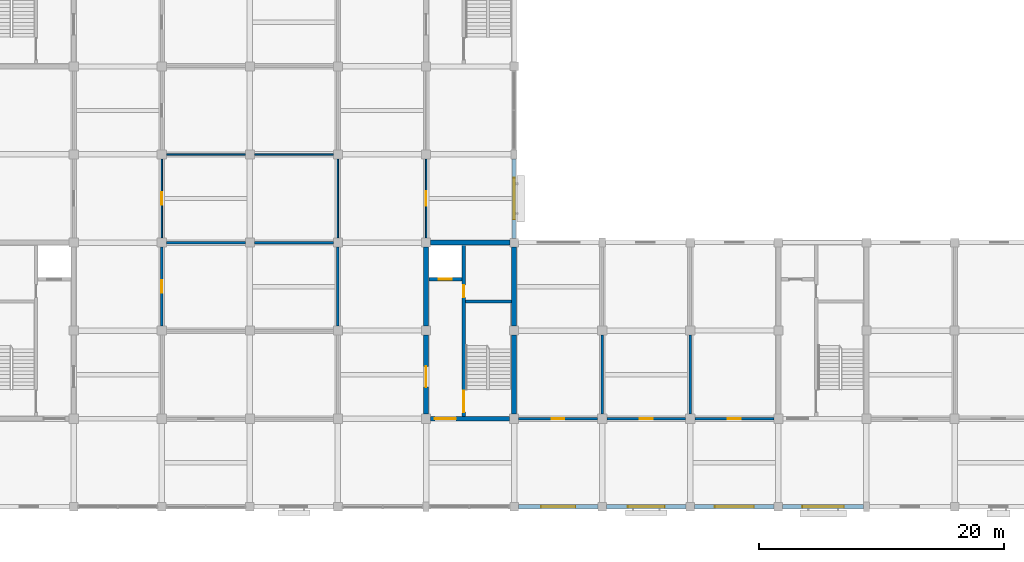
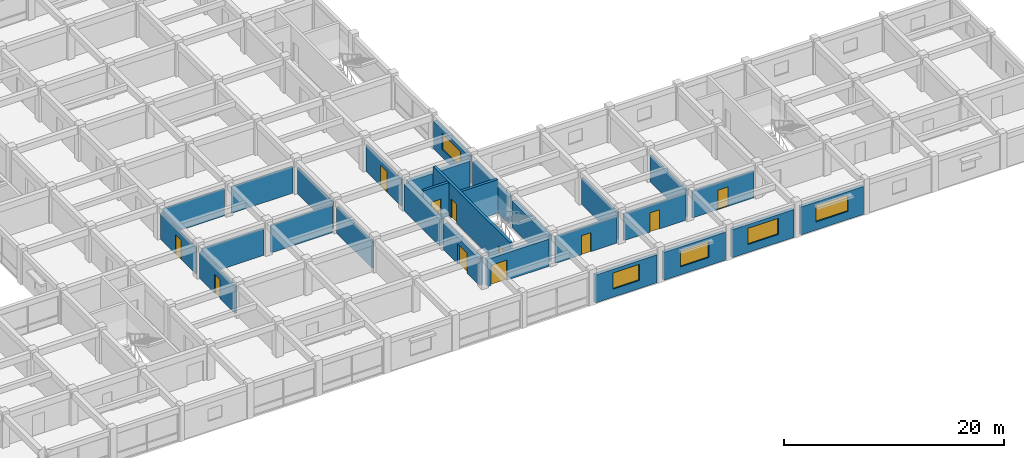
# One storey, part 15 of 25: 28 walls, 11 doors, 5 windows, 16 openings.
"""IFC4 building model written with IfcOpenShell, lengths in metres."""

from ifc_helpers import new_model, si_unit, direction, frame, frame_2d, origin, place, context, subcontext, project, spatial, rectangle, extrude, material, layer, layer_set, type_object, element, fill, save


model = new_model("IFC4")

# Units and contexts
model_context = context("Model", 3, precision=1e-05, world=origin(), true_north=direction((0.0, 1.0)))
body_context = subcontext(model_context, "Body", "Model", "MODEL_VIEW")
ifc_project = project(units=[si_unit("LENGTHUNIT", "METRE"), si_unit("AREAUNIT", "SQUARE_METRE"), si_unit("VOLUMEUNIT", "CUBIC_METRE"), si_unit("PLANEANGLEUNIT", "RADIAN"), si_unit("MASSUNIT", "GRAM", prefix="KILO")], contexts=[model_context])

# Site, building, storey
site_placement = place(None, origin())
site = spatial("IfcSite", under=ifc_project, at=site_placement, CompositionType="ELEMENT")
building_placement = place(site_placement, origin())
building = spatial("IfcBuilding", under=site, at=building_placement, Name="Cendaluz Park School", CompositionType="ELEMENT")
storey_placement = place(building_placement, frame((0.0, 0.0, 18.60009765625)))
storey = spatial("IfcBuildingStorey", under=building, at=storey_placement, Name="L04", CompositionType="ELEMENT", Elevation=18.60009765625)

# Wall, opening, door
ifc_material_1 = material(Name="Gypsum Plasterboard on Cold-Formed Stud", Category="gypsum")
ifc_layer_1 = layer(ifc_material_1, 0.199951171875)
ifc_layer_set_1 = layer_set([ifc_layer_1], Name="Gypsum Plasterboard on Cold-Formed Stud")
wall_type_1 = type_object("IfcWallType", Name="W-AC20", PredefinedType="PARTITIONING", material=ifc_layer_set_1)
wall_1_placement = place(storey_placement, frame((108.375, 14.39990234375, 0.0), z_axis=(0.0, 0.0, 1.0), x_axis=(1.0, 0.0, 0.0)))
wall_1 = element("IfcWall", 1, at=wall_1_placement, inside=storey, type_object=wall_type_1, Name="WL-FE-BN8", PredefinedType="PARTITIONING", context=body_context, shape_type="SweptSolid", body=[
    extrude(rectangle(XDim=6.449951171875, YDim=0.199951171875, at=frame_2d((3.22509765625, 0.0))), origin(), (0.0, 0.0, 1.0), 2.969970703125),
])
opening_1_placement = place(wall_1_placement, frame((2.715087890625, 0.0, 0.0)))
opening_1 = element("IfcOpeningElement", 2, at=opening_1_placement, cuts=wall_1, Name="Opening DCL-02", PredefinedType="OPENING", context=body_context, shape_type="SweptSolid", body=[
    extrude(rectangle(XDim=1.02001953125, YDim=2.1201171875, at=frame_2d((0.510009765625, 1.06005859375))), frame((0.0, 0.112060546875, 0.0), z_axis=(0.0, -1.0, 0.0), x_axis=(1.0, 0.0, 0.0)), (0.0, 0.0, 1.0), 0.223876953125),
])
ifc_material_2 = material(Name="Solid Core Hardwood", Category="wood")
door_type_1 = type_object("IfcDoorType", Name="DCL-02", OperationType="NOTDEFINED", PredefinedType="DOOR", material=ifc_material_2)
door_1_placement = place(opening_1_placement, origin())
door_1 = element("IfcDoor", 3, at=door_1_placement, inside=storey, type_object=door_type_1, Name="D-L04-033", OperationType="SINGLE_SWING_LEFT", OverallHeight=2.1201171875, OverallWidth=1.02001953125, PredefinedType="DOOR", context=body_context, shape_type="SweptSolid", body=[
    extrude(rectangle(XDim=1.02001953125, YDim=2.1201171875, at=frame_2d((0.510009765625, 1.06005859375))), frame((0.0, 0.02490234375, 0.0), z_axis=(0.0, -1.0, 0.0), x_axis=(1.0, 0.0, 0.0)), (0.0, 0.0, 1.0), 0.050048828125),
])
fill(opening_1, door_1)

# Wall
wall_2_placement = place(storey_placement, frame((115.199951171875, 14.77490234375, 0.0), z_axis=(0.0, 0.0, 1.0), x_axis=(0.0, 1.0, 0.0)))
element("IfcWall", 4, at=wall_2_placement, inside=storey, type_object=wall_type_1, Name="WL-FE-BN9", PredefinedType="PARTITIONING", context=body_context, shape_type="SweptSolid", body=[
    extrude(rectangle(XDim=6.4501953125, YDim=0.199951171875, at=frame_2d((3.22509765625, 0.0))), origin(), (0.0, 0.0, 1.0), 2.969970703125),
])

# Wall, opening, door
wall_3_placement = place(storey_placement, frame((115.574951171875, 14.39990234375, 0.0), z_axis=(0.0, 0.0, 1.0), x_axis=(1.0, 0.0, 0.0)))
wall_3 = element("IfcWall", 5, at=wall_3_placement, inside=storey, type_object=wall_type_1, Name="WL-FE-BO1", PredefinedType="PARTITIONING", context=body_context, shape_type="SweptSolid", body=[
    extrude(rectangle(XDim=6.449951171875, YDim=0.199951171875, at=frame_2d((3.22509765625, 0.0))), origin(), (0.0, 0.0, 1.0), 2.969970703125),
])
opening_2_placement = place(wall_3_placement, frame((2.705078125, 0.0, 0.0)))
opening_2 = element("IfcOpeningElement", 6, at=opening_2_placement, cuts=wall_3, Name="Opening DCL-03", PredefinedType="OPENING", context=body_context, shape_type="SweptSolid", body=[
    extrude(rectangle(XDim=1.0400390625, YDim=2.139892578125, at=frame_2d((0.52001953125, 1.06982421875))), frame((0.0, 0.112060546875, 0.0), z_axis=(0.0, -1.0, 0.0), x_axis=(1.0, 0.0, 0.0)), (0.0, 0.0, 1.0), 0.223876953125),
])
door_type_2 = type_object("IfcDoorType", Name="DCL-03", OperationType="NOTDEFINED", PredefinedType="DOOR", material=ifc_material_2)
door_2_placement = place(opening_2_placement, origin())
door_2 = element("IfcDoor", 7, at=door_2_placement, inside=storey, type_object=door_type_2, Name="D-L04-034", OperationType="SINGLE_SWING_RIGHT", OverallHeight=2.139892578125, OverallWidth=1.0400390625, PredefinedType="DOOR", context=body_context, shape_type="SweptSolid", body=[
    extrude(rectangle(XDim=1.0400390625, YDim=2.139892578125, at=frame_2d((0.52001953125, 1.06982421875))), frame((0.0, 0.02490234375, 0.0), z_axis=(0.0, -1.0, 0.0), x_axis=(1.0, 0.0, 0.0)), (0.0, 0.0, 1.0), 0.050048828125),
])
fill(opening_2, door_2)

# Wall
wall_4_placement = place(storey_placement, frame((122.39990234375, 14.77490234375, 0.0), z_axis=(0.0, 0.0, 1.0), x_axis=(0.0, 1.0, 0.0)))
element("IfcWall", 8, at=wall_4_placement, inside=storey, type_object=wall_type_1, Name="WL-FE-BO2", PredefinedType="PARTITIONING", context=body_context, shape_type="SweptSolid", body=[
    extrude(rectangle(XDim=6.4501953125, YDim=0.199951171875, at=frame_2d((3.22509765625, 0.0))), origin(), (0.0, 0.0, 1.0), 2.969970703125),
])

# Wall, opening, door
wall_5_placement = place(storey_placement, frame((122.77490234375, 14.39990234375, 0.0), z_axis=(0.0, 0.0, 1.0), x_axis=(1.0, 0.0, 0.0)))
wall_5 = element("IfcWall", 9, at=wall_5_placement, inside=storey, type_object=wall_type_1, Name="WL-FE-BO4", PredefinedType="PARTITIONING", context=body_context, shape_type="SweptSolid", body=[
    extrude(rectangle(XDim=6.4501953125, YDim=0.199951171875, at=frame_2d((3.22509765625, 0.0))), origin(), (0.0, 0.0, 1.0), 2.969970703125),
])
opening_3_placement = place(wall_5_placement, frame((2.695068359375, 0.0, 0.0)))
opening_3 = element("IfcOpeningElement", 10, at=opening_3_placement, cuts=wall_5, Name="Opening DCL-04", PredefinedType="OPENING", context=body_context, shape_type="SweptSolid", body=[
    extrude(rectangle(XDim=1.06005859375, YDim=2.159912109375, at=frame_2d((0.530029296875, 1.080078125))), frame((0.0, 0.112060546875, 0.0), z_axis=(0.0, -1.0, 0.0), x_axis=(1.0, 0.0, 0.0)), (0.0, 0.0, 1.0), 0.223876953125),
])
door_type_3 = type_object("IfcDoorType", Name="DCL-04", OperationType="NOTDEFINED", PredefinedType="DOOR", material=ifc_material_2)
door_3_placement = place(opening_3_placement, origin())
door_3 = element("IfcDoor", 11, at=door_3_placement, inside=storey, type_object=door_type_3, Name="D-L04-035", OperationType="SINGLE_SWING_LEFT", OverallHeight=2.159912109375, OverallWidth=1.06005859375, PredefinedType="DOOR", context=body_context, shape_type="SweptSolid", body=[
    extrude(rectangle(XDim=1.06005859375, YDim=2.159912109375, at=frame_2d((0.530029296875, 1.080078125))), frame((0.0, 0.02490234375, 0.0), z_axis=(0.0, -1.0, 0.0), x_axis=(1.0, 0.0, 0.0)), (0.0, 0.0, 1.0), 0.050048828125),
])
fill(opening_3, door_3)

# Wall
wall_6_placement = place(storey_placement, frame((79.574951171875, 28.800048828125, 0.0), z_axis=(0.0, 0.0, 1.0), x_axis=(1.0, 0.0, 0.0)))
element("IfcWall", 12, at=wall_6_placement, inside=storey, type_object=wall_type_1, Name="WL-FE-BQ2", PredefinedType="PARTITIONING", context=body_context, shape_type="SweptSolid", body=[
    extrude(rectangle(XDim=6.449951171875, YDim=0.199951171875, at=frame_2d((3.22509765625, 0.0))), origin(), (0.0, 0.0, 1.0), 2.969970703125),
])

# Wall, opening, door
wall_7_placement = place(storey_placement, frame((79.199951171875, 21.97509765625, 0.0), z_axis=(0.0, 0.0, 1.0), x_axis=(0.0, 1.0, 0.0)))
wall_7 = element("IfcWall", 13, at=wall_7_placement, inside=storey, type_object=wall_type_1, Name="WL-FE-BQ3", PredefinedType="PARTITIONING", context=body_context, shape_type="SweptSolid", body=[
    extrude(rectangle(XDim=6.449951171875, YDim=0.199951171875, at=frame_2d((3.22509765625, 0.0))), origin(), (0.0, 0.0, 1.0), 2.969970703125),
])
opening_4_placement = place(wall_7_placement, frame((2.72509765625, 0.0, 0.0)))
opening_4 = element("IfcOpeningElement", 14, at=opening_4_placement, cuts=wall_7, Name="Opening DCL-01", PredefinedType="OPENING", context=body_context, shape_type="SweptSolid", body=[
    extrude(rectangle(XDim=1.0, YDim=2.10009765625, at=frame_2d((0.5, 1.050048828125))), frame((0.0, 0.112060546875, 0.0), z_axis=(0.0, -1.0, 0.0), x_axis=(1.0, 0.0, 0.0)), (0.0, 0.0, 1.0), 0.223876953125),
])
door_type_4 = type_object("IfcDoorType", Name="DCL-01", OperationType="NOTDEFINED", PredefinedType="DOOR", material=ifc_material_2)
door_4_placement = place(opening_4_placement, frame((1.0, 0.0, 0.0), z_axis=(0.0, 0.0, 1.0), x_axis=(-1.0, 0.0, 0.0)))
door_4 = element("IfcDoor", 15, at=door_4_placement, inside=storey, type_object=door_type_4, Name="D-L04-042", OperationType="SINGLE_SWING_RIGHT", OverallHeight=2.10009765625, OverallWidth=1.0, PredefinedType="DOOR", context=body_context, shape_type="SweptSolid", body=[
    extrude(rectangle(XDim=1.0, YDim=2.10009765625, at=frame_2d((0.5, 1.050048828125))), frame((0.0, 0.02490234375, 0.0), z_axis=(0.0, -1.0, 0.0), x_axis=(1.0, 0.0, 0.0)), (0.0, 0.0, 1.0), 0.050048828125),
])
fill(opening_4, door_4)

# Walls
wall_8_placement = place(storey_placement, frame((86.77490234375, 28.800048828125, 0.0), z_axis=(0.0, 0.0, 1.0), x_axis=(1.0, 0.0, 0.0)))
element("IfcWall", 16, at=wall_8_placement, inside=storey, type_object=wall_type_1, Name="WL-FE-BQ4", PredefinedType="PARTITIONING", context=body_context, shape_type="SweptSolid", body=[
    extrude(rectangle(XDim=6.4501953125, YDim=0.199951171875, at=frame_2d((3.22509765625, 0.0))), origin(), (0.0, 0.0, 1.0), 3.039794921875),
])
wall_9_placement = place(storey_placement, frame((93.60009765625, 21.97509765625, 0.0), z_axis=(0.0, 0.0, 1.0), x_axis=(0.0, 1.0, 0.0)))
element("IfcWall", 17, at=wall_9_placement, inside=storey, type_object=wall_type_1, Name="WL-FE-BQ5", PredefinedType="PARTITIONING", context=body_context, shape_type="SweptSolid", body=[
    extrude(rectangle(XDim=6.449951171875, YDim=0.199951171875, at=frame_2d((3.22509765625, 0.0))), origin(), (0.0, 0.0, 1.0), 2.969970703125),
])

# Wall, opening, window
ifc_material_3 = material(Name="Concrete C40/50 precast", Category="concrete")
ifc_layer_2 = layer(ifc_material_3, 0.340087890625)
ifc_layer_set_2 = layer_set([ifc_layer_2], Name="Concrete C40/50 precast")
wall_type_2 = type_object("IfcWallType", Name="W-EX34", PredefinedType="SOLIDWALL", material=ifc_layer_set_2)
wall_10_placement = place(storey_placement, frame((108.0, 29.14990234375, 0.0), z_axis=(0.0, 0.0, 1.0), x_axis=(0.0, 1.0, 0.0)))
wall_10 = element("IfcWall", 18, at=wall_10_placement, inside=storey, type_object=wall_type_2, Name="WL-FE-AB0", PredefinedType="SOLIDWALL", context=body_context, shape_type="SweptSolid", body=[
    extrude(rectangle(XDim=6.47509765625, YDim=0.340087890625, at=frame_2d((3.237548828125, 0.0))), origin(), (0.0, 0.0, 1.0), 3.10986328125),
])
opening_5_placement = place(wall_10_placement, frame((1.53759765625, 0.0, 0.89990234375)))
opening_5 = element("IfcOpeningElement", 19, at=opening_5_placement, cuts=wall_10, Name="Opening WN-09", PredefinedType="OPENING", context=body_context, shape_type="SweptSolid", body=[
    extrude(rectangle(XDim=3.39990234375, YDim=1.800048828125, at=frame_2d((1.699951171875, 0.89990234375))), frame((0.0, 0.18212890625, 0.0), z_axis=(0.0, -1.0, 0.0), x_axis=(1.0, 0.0, 0.0)), (0.0, 0.0, 1.0), 0.364013671875),
])
ifc_material_4 = material(Name="Tempered Low-E Double Glazing", Category="glass")
window_type_1 = type_object("IfcWindowType", Name="WN-09", PartitioningType="SINGLE_PANEL", PredefinedType="WINDOW", material=ifc_material_4)
window_1_placement = place(opening_5_placement, origin())
window_1 = element("IfcWindow", 20, at=window_1_placement, inside=storey, type_object=window_type_1, Name="WN-L04-011", OverallHeight=1.800048828125, OverallWidth=3.39990234375, PartitioningType="SINGLE_PANEL", PredefinedType="WINDOW", context=body_context, shape_type="SweptSolid", body=[
    extrude(rectangle(XDim=3.39990234375, YDim=1.800048828125, at=frame_2d((1.699951171875, 0.89990234375))), frame((0.0, 0.030029296875, 0.0), z_axis=(0.0, -1.0, 0.0), x_axis=(1.0, 0.0, 0.0)), (0.0, 0.0, 1.0), 0.06005859375),
])
fill(opening_5, window_1)

wall_11_placement = place(storey_placement, frame((108.35009765625, 7.199951171875, 0.0), z_axis=(0.0, 0.0, 1.0), x_axis=(1.0, 0.0, 0.0)))
wall_11 = element("IfcWall", 21, at=wall_11_placement, inside=storey, type_object=wall_type_2, Name="WL-FE-AB4", PredefinedType="SOLIDWALL", context=body_context, shape_type="SweptSolid", body=[
    extrude(rectangle(XDim=6.5, YDim=0.340087890625, at=frame_2d((3.25, 0.0))), origin(), (0.0, 0.0, 1.0), 3.10986328125),
])
opening_6_placement = place(wall_11_placement, frame((1.85009765625, 0.0, 0.89990234375)))
opening_6 = element("IfcOpeningElement", 22, at=opening_6_placement, cuts=wall_11, Name="Opening WN-06", PredefinedType="OPENING", context=body_context, shape_type="SweptSolid", body=[
    extrude(rectangle(XDim=2.800048828125, YDim=1.800048828125, at=frame_2d((1.39990234375, 0.89990234375))), frame((0.0, 0.18212890625, 0.0), z_axis=(0.0, -1.0, 0.0), x_axis=(1.0, 0.0, 0.0)), (0.0, 0.0, 1.0), 0.364013671875),
])
window_type_2 = type_object("IfcWindowType", Name="WN-06", PartitioningType="SINGLE_PANEL", PredefinedType="WINDOW", material=ifc_material_4)
window_2_placement = place(opening_6_placement, origin())
window_2 = element("IfcWindow", 23, at=window_2_placement, inside=storey, type_object=window_type_2, Name="WN-L04-015", OverallHeight=1.800048828125, OverallWidth=2.800048828125, PartitioningType="SINGLE_PANEL", PredefinedType="WINDOW", context=body_context, shape_type="SweptSolid", body=[
    extrude(rectangle(XDim=2.800048828125, YDim=1.800048828125, at=frame_2d((1.39990234375, 0.89990234375))), frame((0.0, 0.030029296875, 0.0), z_axis=(0.0, -1.0, 0.0), x_axis=(1.0, 0.0, 0.0)), (0.0, 0.0, 1.0), 0.06005859375),
])
fill(opening_6, window_2)

wall_12_placement = place(storey_placement, frame((115.550048828125, 7.199951171875, 0.0), z_axis=(0.0, 0.0, 1.0), x_axis=(1.0, 0.0, 0.0)))
wall_12 = element("IfcWall", 24, at=wall_12_placement, inside=storey, type_object=wall_type_2, Name="WL-FE-AB6", PredefinedType="SOLIDWALL", context=body_context, shape_type="SweptSolid", body=[
    extrude(rectangle(XDim=6.5, YDim=0.340087890625, at=frame_2d((3.25, 0.0))), origin(), (0.0, 0.0, 1.0), 3.10986328125),
])
opening_7_placement = place(wall_12_placement, frame((1.75, 0.0, 0.89990234375)))
opening_7 = element("IfcOpeningElement", 25, at=opening_7_placement, cuts=wall_12, Name="Opening WN-07", PredefinedType="OPENING", context=body_context, shape_type="SweptSolid", body=[
    extrude(rectangle(XDim=3.0, YDim=1.800048828125, at=frame_2d((1.5, 0.89990234375))), frame((0.0, 0.18212890625, 0.0), z_axis=(0.0, -1.0, 0.0), x_axis=(1.0, 0.0, 0.0)), (0.0, 0.0, 1.0), 0.364013671875),
])
window_type_3 = type_object("IfcWindowType", Name="WN-07", PartitioningType="SINGLE_PANEL", PredefinedType="WINDOW", material=ifc_material_4)
window_3_placement = place(opening_7_placement, origin())
window_3 = element("IfcWindow", 26, at=window_3_placement, inside=storey, type_object=window_type_3, Name="WN-L04-017", OverallHeight=1.800048828125, OverallWidth=3.0, PartitioningType="SINGLE_PANEL", PredefinedType="WINDOW", context=body_context, shape_type="SweptSolid", body=[
    extrude(rectangle(XDim=3.0, YDim=1.800048828125, at=frame_2d((1.5, 0.89990234375))), frame((0.0, 0.030029296875, 0.0), z_axis=(0.0, -1.0, 0.0), x_axis=(1.0, 0.0, 0.0)), (0.0, 0.0, 1.0), 0.06005859375),
])
fill(opening_7, window_3)

wall_13_placement = place(storey_placement, frame((122.75, 7.199951171875, 0.0), z_axis=(0.0, 0.0, 1.0), x_axis=(1.0, 0.0, 0.0)))
wall_13 = element("IfcWall", 27, at=wall_13_placement, inside=storey, type_object=wall_type_2, Name="WL-FE-AB8", PredefinedType="SOLIDWALL", context=body_context, shape_type="SweptSolid", body=[
    extrude(rectangle(XDim=6.5, YDim=0.340087890625, at=frame_2d((3.25, 0.0))), origin(), (0.0, 0.0, 1.0), 3.10986328125),
])
opening_8_placement = place(wall_13_placement, frame((1.64990234375, 0.0, 0.89990234375)))
opening_8 = element("IfcOpeningElement", 28, at=opening_8_placement, cuts=wall_13, Name="Opening WN-08", PredefinedType="OPENING", context=body_context, shape_type="SweptSolid", body=[
    extrude(rectangle(XDim=3.199951171875, YDim=1.800048828125, at=frame_2d((1.60009765625, 0.89990234375))), frame((0.0, 0.18212890625, 0.0), z_axis=(0.0, -1.0, 0.0), x_axis=(1.0, 0.0, 0.0)), (0.0, 0.0, 1.0), 0.364013671875),
])
window_type_4 = type_object("IfcWindowType", Name="WN-08", PartitioningType="SINGLE_PANEL", PredefinedType="WINDOW", material=ifc_material_4)
window_4_placement = place(opening_8_placement, origin())
window_4 = element("IfcWindow", 29, at=window_4_placement, inside=storey, type_object=window_type_4, Name="WN-L04-019", OverallHeight=1.800048828125, OverallWidth=3.199951171875, PartitioningType="SINGLE_PANEL", PredefinedType="WINDOW", context=body_context, shape_type="SweptSolid", body=[
    extrude(rectangle(XDim=3.199951171875, YDim=1.800048828125, at=frame_2d((1.60009765625, 0.89990234375))), frame((0.0, 0.030029296875, 0.0), z_axis=(0.0, -1.0, 0.0), x_axis=(1.0, 0.0, 0.0)), (0.0, 0.0, 1.0), 0.06005859375),
])
fill(opening_8, window_4)

wall_14_placement = place(storey_placement, frame((129.949951171875, 7.199951171875, 0.0), z_axis=(0.0, 0.0, 1.0), x_axis=(1.0, 0.0, 0.0)))
wall_14 = element("IfcWall", 30, at=wall_14_placement, inside=storey, type_object=wall_type_2, Name="WL-FE-AC0", PredefinedType="SOLIDWALL", context=body_context, shape_type="SweptSolid", body=[
    extrude(rectangle(XDim=6.60009765625, YDim=0.340087890625, at=frame_2d((3.300048828125, 0.0))), origin(), (0.0, 0.0, 1.0), 3.10986328125),
])
opening_9_placement = place(wall_14_placement, frame((1.60009765625, 0.0, 0.89990234375)))
opening_9 = element("IfcOpeningElement", 31, at=opening_9_placement, cuts=wall_14, Name="Opening WN-09", PredefinedType="OPENING", context=body_context, shape_type="SweptSolid", body=[
    extrude(rectangle(XDim=3.39990234375, YDim=1.800048828125, at=frame_2d((1.699951171875, 0.89990234375))), frame((0.0, 0.18212890625, 0.0), z_axis=(0.0, -1.0, 0.0), x_axis=(1.0, 0.0, 0.0)), (0.0, 0.0, 1.0), 0.364013671875),
])
window_5_placement = place(opening_9_placement, origin())
window_5 = element("IfcWindow", 32, at=window_5_placement, inside=storey, type_object=window_type_1, Name="WN-L04-021", OverallHeight=1.800048828125, OverallWidth=3.39990234375, PartitioningType="SINGLE_PANEL", PredefinedType="WINDOW", context=body_context, shape_type="SweptSolid", body=[
    extrude(rectangle(XDim=3.39990234375, YDim=1.800048828125, at=frame_2d((1.699951171875, 0.89990234375))), frame((0.0, 0.030029296875, 0.0), z_axis=(0.0, -1.0, 0.0), x_axis=(1.0, 0.0, 0.0)), (0.0, 0.0, 1.0), 0.06005859375),
])
fill(opening_9, window_5)

# Wall, openings, doors
ifc_material_5 = material(Name="Concrete C40/50", Category="concrete")
ifc_layer_3 = layer(ifc_material_5, 0.280029296875)
ifc_layer_set_3 = layer_set([ifc_layer_3], Name="Concrete C40/50")
wall_type_3 = type_object("IfcWallType", Name="W-FW28", PredefinedType="SHEAR", material=ifc_layer_set_3)
wall_15_placement = place(storey_placement, frame((103.8798828125, 14.60009765625, 0.0), z_axis=(0.0, 0.0, 1.0), x_axis=(0.0, 1.0, 0.0)))
wall_15 = element("IfcWall", 33, at=wall_15_placement, inside=storey, type_object=wall_type_3, Name="WL-FE-BI5", PredefinedType="SHEAR", context=body_context, shape_type="SweptSolid", body=[
    extrude(rectangle(XDim=14.0, YDim=0.280029296875, at=frame_2d((7.0, 0.0))), origin(), (0.0, 0.0, 1.0), 3.739990234375),
])
opening_10_placement = place(wall_15_placement, frame((0.35009765625, 0.0, 0.0)))
opening_10 = element("IfcOpeningElement", 34, at=opening_10_placement, cuts=wall_15, Name="Opening DST-03", PredefinedType="OPENING", context=body_context, shape_type="SweptSolid", body=[
    extrude(rectangle(XDim=1.75, YDim=2.14990234375, at=frame_2d((0.875, 1.074951171875))), frame((0.0, 0.152099609375, 0.0), z_axis=(0.0, -1.0, 0.0), x_axis=(1.0, 0.0, 0.0)), (0.0, 0.0, 1.0), 0.303955078125),
])
opening_11_placement = place(wall_15_placement, frame((9.719970703125, 0.0, 0.0)))
opening_11 = element("IfcOpeningElement", 35, at=opening_11_placement, cuts=wall_15, Name="Opening DFC-01", PredefinedType="OPENING", context=body_context, shape_type="SweptSolid", body=[
    extrude(rectangle(XDim=1.0, YDim=2.14990234375, at=frame_2d((0.5, 1.074951171875))), frame((0.0, 0.152099609375, 0.0), z_axis=(0.0, -1.0, 0.0), x_axis=(1.0, 0.0, 0.0)), (0.0, 0.0, 1.0), 0.303955078125),
])
door_type_5 = type_object("IfcDoorType", Name="DFC-01", OperationType="NOTDEFINED", PredefinedType="DOOR", material=ifc_material_2)
door_5_placement = place(opening_11_placement, frame((1.0, 0.0, 0.0), z_axis=(0.0, 0.0, 1.0), x_axis=(-1.0, 0.0, 0.0)))
door_5 = element("IfcDoor", 36, at=door_5_placement, inside=storey, type_object=door_type_5, Name="D-L04-009", OperationType="SINGLE_SWING_RIGHT", OverallHeight=2.14990234375, OverallWidth=1.0, PredefinedType="DOOR", context=body_context, shape_type="SweptSolid", body=[
    extrude(rectangle(XDim=1.0, YDim=2.14990234375, at=frame_2d((0.5, 1.074951171875))), frame((0.0, 0.02490234375, 0.0), z_axis=(0.0, -1.0, 0.0), x_axis=(1.0, 0.0, 0.0)), (0.0, 0.0, 1.0), 0.050048828125),
])
fill(opening_11, door_5)
door_type_6 = type_object("IfcDoorType", Name="DST-03", OperationType="DOUBLE_DOOR_SINGLE_SWING", PredefinedType="DOOR", material=ifc_material_2)
door_6_placement = place(opening_10_placement, frame((1.75, 0.0, 0.0), z_axis=(0.0, 0.0, 1.0), x_axis=(-1.0, 0.0, 0.0)))
door_6 = element("IfcDoor", 37, at=door_6_placement, inside=storey, type_object=door_type_6, Name="D-L04-008", OperationType="DOUBLE_DOOR_SINGLE_SWING", OverallHeight=2.14990234375, OverallWidth=1.75, PredefinedType="DOOR", context=body_context, shape_type="SweptSolid", body=[
    extrude(rectangle(XDim=1.75, YDim=2.14990234375, at=frame_2d((0.875, 1.074951171875))), frame((0.0, 0.02490234375, 0.0), z_axis=(0.0, -1.0, 0.0), x_axis=(1.0, 0.0, 0.0)), (0.0, 0.0, 1.0), 0.050048828125),
])
fill(opening_10, door_6)

# Wall
wall_16_placement = place(storey_placement, frame((104.02001953125, 23.97998046875, 0.0), z_axis=(0.0, 0.0, 1.0), x_axis=(1.0, 0.0, 0.0)))
element("IfcWall", 38, at=wall_16_placement, inside=storey, type_object=wall_type_3, Name="WL-FE-BI6", PredefinedType="SHEAR", context=body_context, shape_type="SweptSolid", body=[
    extrude(rectangle(XDim=3.780029296875, YDim=0.280029296875, at=frame_2d((1.89013671875, 0.0))), origin(), (0.0, 0.0, 1.0), 3.739990234375),
])

# Wall, opening, door
wall_17_placement = place(storey_placement, frame((101.0400390625, 25.800048828125, 0.0), z_axis=(0.0, 0.0, 1.0), x_axis=(1.0, 0.0, 0.0)))
wall_17 = element("IfcWall", 39, at=wall_17_placement, inside=storey, type_object=wall_type_3, Name="WL-FE-BI7", PredefinedType="SHEAR", context=body_context, shape_type="SweptSolid", body=[
    extrude(rectangle(XDim=2.679931640625, YDim=0.280029296875, at=frame_2d((1.33984375, 0.0))), origin(), (0.0, 0.0, 1.0), 3.739990234375),
])
opening_12_placement = place(wall_17_placement, frame((0.81494140625, 0.0, 0.0)))
opening_12 = element("IfcOpeningElement", 40, at=opening_12_placement, cuts=wall_17, Name="Opening LD-02", PredefinedType="OPENING", context=body_context, shape_type="SweptSolid", body=[
    extrude(rectangle(XDim=1.050048828125, YDim=2.199951171875, at=frame_2d((0.52490234375, 1.10009765625))), frame((0.0, 0.152099609375, 0.0), z_axis=(0.0, -1.0, 0.0), x_axis=(1.0, 0.0, 0.0)), (0.0, 0.0, 1.0), 0.303955078125),
])
ifc_material_6 = material(Name="Stainless Steel 316L", Category="steel")
door_type_7 = type_object("IfcDoorType", Name="LD-02", OperationType="DOUBLE_DOOR_SLIDING", PredefinedType="DOOR", material=ifc_material_6)
door_7_placement = place(opening_12_placement, frame((1.050048828125, 0.0, 0.0), z_axis=(0.0, 0.0, 1.0), x_axis=(-1.0, 0.0, 0.0)))
door_7 = element("IfcDoor", 41, at=door_7_placement, inside=storey, type_object=door_type_7, Name="D-L04-010", OperationType="DOUBLE_DOOR_SLIDING", OverallHeight=2.199951171875, OverallWidth=1.050048828125, PredefinedType="DOOR", context=body_context, shape_type="SweptSolid", body=[
    extrude(rectangle(XDim=1.050048828125, YDim=2.199951171875, at=frame_2d((0.52490234375, 1.10009765625))), frame((0.0, 0.02490234375, 0.0), z_axis=(0.0, -1.0, 0.0), x_axis=(1.0, 0.0, 0.0)), (0.0, 0.0, 1.0), 0.050048828125),
])
fill(opening_12, door_7)

# Wall
ifc_layer_4 = layer(ifc_material_1, 0.1201171875)
ifc_layer_set_4 = layer_set([ifc_layer_4], Name="Gypsum Plasterboard on Cold-Formed Stud")
wall_type_4 = type_object("IfcWallType", Name="W-MV12", PredefinedType="MOVABLE", material=ifc_layer_set_4)
wall_18_placement = place(storey_placement, frame((79.574951171875, 36.0, 0.0), z_axis=(0.0, 0.0, 1.0), x_axis=(1.0, 0.0, 0.0)))
element("IfcWall", 42, at=wall_18_placement, inside=storey, type_object=wall_type_4, Name="WL-FE-BQ6", PredefinedType="MOVABLE", context=body_context, shape_type="SweptSolid", body=[
    extrude(rectangle(XDim=6.449951171875, YDim=0.1201171875, at=frame_2d((3.22509765625, 0.0))), origin(), (0.0, 0.0, 1.0), 3.039794921875),
])

# Wall, opening, door
wall_19_placement = place(storey_placement, frame((79.199951171875, 29.175048828125, 0.0), z_axis=(0.0, 0.0, 1.0), x_axis=(0.0, 1.0, 0.0)))
wall_19 = element("IfcWall", 43, at=wall_19_placement, inside=storey, type_object=wall_type_4, Name="WL-FE-BQ7", PredefinedType="MOVABLE", context=body_context, shape_type="SweptSolid", body=[
    extrude(rectangle(XDim=6.449951171875, YDim=0.1201171875, at=frame_2d((3.22509765625, 0.0))), origin(), (0.0, 0.0, 1.0), 2.969970703125),
])
opening_13_placement = place(wall_19_placement, frame((2.715087890625, 0.0, 0.0)))
opening_13 = element("IfcOpeningElement", 44, at=opening_13_placement, cuts=wall_19, Name="Opening DCL-02", PredefinedType="OPENING", context=body_context, shape_type="SweptSolid", body=[
    extrude(rectangle(XDim=1.02001953125, YDim=2.1201171875, at=frame_2d((0.510009765625, 1.06005859375))), frame((0.0, 0.072021484375, 0.0), z_axis=(0.0, -1.0, 0.0), x_axis=(1.0, 0.0, 0.0)), (0.0, 0.0, 1.0), 0.14404296875),
])
door_8_placement = place(opening_13_placement, frame((1.02001953125, 0.0, 0.0), z_axis=(0.0, 0.0, 1.0), x_axis=(-1.0, 0.0, 0.0)))
door_8 = element("IfcDoor", 45, at=door_8_placement, inside=storey, type_object=door_type_1, Name="D-L04-043", OperationType="SINGLE_SWING_LEFT", OverallHeight=2.1201171875, OverallWidth=1.02001953125, PredefinedType="DOOR", context=body_context, shape_type="SweptSolid", body=[
    extrude(rectangle(XDim=1.02001953125, YDim=2.1201171875, at=frame_2d((0.510009765625, 1.06005859375))), frame((0.0, 0.02490234375, 0.0), z_axis=(0.0, -1.0, 0.0), x_axis=(1.0, 0.0, 0.0)), (0.0, 0.0, 1.0), 0.050048828125),
])
fill(opening_13, door_8)

# Walls
wall_20_placement = place(storey_placement, frame((86.77490234375, 36.0, 0.0), z_axis=(0.0, 0.0, 1.0), x_axis=(1.0, 0.0, 0.0)))
element("IfcWall", 46, at=wall_20_placement, inside=storey, type_object=wall_type_4, Name="WL-FE-BQ8", PredefinedType="MOVABLE", context=body_context, shape_type="SweptSolid", body=[
    extrude(rectangle(XDim=6.4501953125, YDim=0.1201171875, at=frame_2d((3.22509765625, 0.0))), origin(), (0.0, 0.0, 1.0), 2.969970703125),
])
wall_21_placement = place(storey_placement, frame((93.60009765625, 29.175048828125, 0.0), z_axis=(0.0, 0.0, 1.0), x_axis=(0.0, 1.0, 0.0)))
element("IfcWall", 47, at=wall_21_placement, inside=storey, type_object=wall_type_4, Name="WL-FE-BQ9", PredefinedType="MOVABLE", context=body_context, shape_type="SweptSolid", body=[
    extrude(rectangle(XDim=6.449951171875, YDim=0.1201171875, at=frame_2d((3.22509765625, 0.0))), origin(), (0.0, 0.0, 1.0), 2.969970703125),
])

# Wall, opening, door
wall_22_placement = place(storey_placement, frame((100.800048828125, 29.175048828125, 0.0), z_axis=(0.0, 0.0, 1.0), x_axis=(0.0, 1.0, 0.0)))
wall_22 = element("IfcWall", 48, at=wall_22_placement, inside=storey, type_object=wall_type_4, Name="WL-FE-BS8", PredefinedType="MOVABLE", context=body_context, shape_type="SweptSolid", body=[
    extrude(rectangle(XDim=6.449951171875, YDim=0.1201171875, at=frame_2d((3.22509765625, 0.0))), origin(), (0.0, 0.0, 1.0), 2.969970703125),
])
opening_14_placement = place(wall_22_placement, frame((2.625, 0.0, 0.0)))
opening_14 = element("IfcOpeningElement", 49, at=opening_14_placement, cuts=wall_22, Name="Opening DCL-08", PredefinedType="OPENING", context=body_context, shape_type="SweptSolid", body=[
    extrude(rectangle(XDim=1.199951171875, YDim=2.239990234375, at=frame_2d((0.60009765625, 1.1201171875))), frame((0.0, 0.072021484375, 0.0), z_axis=(0.0, -1.0, 0.0), x_axis=(1.0, 0.0, 0.0)), (0.0, 0.0, 1.0), 0.14404296875),
])
door_type_8 = type_object("IfcDoorType", Name="DCL-08", OperationType="NOTDEFINED", PredefinedType="DOOR", material=ifc_material_2)
door_9_placement = place(opening_14_placement, frame((1.199951171875, 0.0, 0.0), z_axis=(0.0, 0.0, 1.0), x_axis=(-1.0, 0.0, 0.0)))
door_9 = element("IfcDoor", 50, at=door_9_placement, inside=storey, type_object=door_type_8, Name="D-L04-049", OperationType="SINGLE_SWING_LEFT", OverallHeight=2.239990234375, OverallWidth=1.199951171875, PredefinedType="DOOR", context=body_context, shape_type="SweptSolid", body=[
    extrude(rectangle(XDim=1.199951171875, YDim=2.239990234375, at=frame_2d((0.60009765625, 1.1201171875))), frame((0.0, 0.02490234375, 0.0), z_axis=(0.0, -1.0, 0.0), x_axis=(1.0, 0.0, 0.0)), (0.0, 0.0, 1.0), 0.050048828125),
])
fill(opening_14, door_9)

ifc_layer_5 = layer(ifc_material_5, 0.39990234375)
ifc_layer_set_5 = layer_set([ifc_layer_5], Name="Concrete C40/50")
wall_type_5 = type_object("IfcWallType", Name="W-SH40", PredefinedType="SHEAR", material=ifc_layer_set_5)
wall_23_placement = place(storey_placement, frame((100.800048828125, 14.77490234375, 0.0), z_axis=(0.0, 0.0, 1.0), x_axis=(0.0, 1.0, 0.0)))
wall_23 = element("IfcWall", 51, at=wall_23_placement, inside=storey, type_object=wall_type_5, Name="WL-FE-BH9", PredefinedType="SHEAR", context=body_context, shape_type="SweptSolid", body=[
    extrude(rectangle(XDim=6.4501953125, YDim=0.39990234375, at=frame_2d((3.22509765625, 0.0))), origin(), (0.0, 0.0, 1.0), 2.969970703125),
])
opening_15_placement = place(wall_23_placement, frame((2.199951171875, 0.0, 0.0)))
opening_15 = element("IfcOpeningElement", 52, at=opening_15_placement, cuts=wall_23, Name="Opening DLB-02", PredefinedType="OPENING", context=body_context, shape_type="SweptSolid", body=[
    extrude(rectangle(XDim=1.699951171875, YDim=2.25, at=frame_2d((0.85009765625, 1.125))), frame((0.0, 0.2119140625, 0.0), z_axis=(0.0, -1.0, 0.0), x_axis=(1.0, 0.0, 0.0)), (0.0, 0.0, 1.0), 0.423828125),
])
door_type_9 = type_object("IfcDoorType", Name="DLB-02", OperationType="DOUBLE_DOOR_SINGLE_SWING", PredefinedType="DOOR", material=ifc_material_2)
door_10_placement = place(opening_15_placement, frame((1.699951171875, 0.0, 0.0), z_axis=(0.0, 0.0, 1.0), x_axis=(-1.0, 0.0, 0.0)))
door_10 = element("IfcDoor", 53, at=door_10_placement, inside=storey, type_object=door_type_9, Name="D-L04-006", OperationType="DOUBLE_DOOR_SINGLE_SWING", OverallHeight=2.25, OverallWidth=1.699951171875, PredefinedType="DOOR", context=body_context, shape_type="SweptSolid", body=[
    extrude(rectangle(XDim=1.699951171875, YDim=2.25, at=frame_2d((0.85009765625, 1.125))), frame((0.0, 0.02490234375, 0.0), z_axis=(0.0, -1.0, 0.0), x_axis=(1.0, 0.0, 0.0)), (0.0, 0.0, 1.0), 0.050048828125),
])
fill(opening_15, door_10)

# Walls
wall_24_placement = place(storey_placement, frame((100.800048828125, 21.97509765625, 0.0), z_axis=(0.0, 0.0, 1.0), x_axis=(0.0, 1.0, 0.0)))
element("IfcWall", 54, at=wall_24_placement, inside=storey, type_object=wall_type_5, Name="WL-FE-BI0", PredefinedType="SHEAR", context=body_context, shape_type="SweptSolid", body=[
    extrude(rectangle(XDim=6.449951171875, YDim=0.39990234375, at=frame_2d((3.22509765625, 0.0))), origin(), (0.0, 0.0, 1.0), 2.969970703125),
])
wall_25_placement = place(storey_placement, frame((108.0, 14.77490234375, 0.0), z_axis=(0.0, 0.0, 1.0), x_axis=(0.0, 1.0, 0.0)))
element("IfcWall", 55, at=wall_25_placement, inside=storey, type_object=wall_type_5, Name="WL-FE-BI1", PredefinedType="SHEAR", context=body_context, shape_type="SweptSolid", body=[
    extrude(rectangle(XDim=6.4501953125, YDim=0.39990234375, at=frame_2d((3.22509765625, 0.0))), origin(), (0.0, 0.0, 1.0), 2.969970703125),
])
wall_26_placement = place(storey_placement, frame((108.0, 21.97509765625, 0.0), z_axis=(0.0, 0.0, 1.0), x_axis=(0.0, 1.0, 0.0)))
element("IfcWall", 56, at=wall_26_placement, inside=storey, type_object=wall_type_5, Name="WL-FE-BI2", PredefinedType="SHEAR", context=body_context, shape_type="SweptSolid", body=[
    extrude(rectangle(XDim=6.474853515625, YDim=0.39990234375, at=frame_2d((3.2373046875, 0.0))), origin(), (0.0, 0.0, 1.0), 2.969970703125),
])

# Wall, opening, door
wall_27_placement = place(storey_placement, frame((101.175048828125, 14.39990234375, 0.0), z_axis=(0.0, 0.0, 1.0), x_axis=(1.0, 0.0, 0.0)))
wall_27 = element("IfcWall", 57, at=wall_27_placement, inside=storey, type_object=wall_type_5, Name="WL-FE-BI3", PredefinedType="SHEAR", context=body_context, shape_type="SweptSolid", body=[
    extrude(rectangle(XDim=6.449951171875, YDim=0.39990234375, at=frame_2d((3.22509765625, 0.0))), origin(), (0.0, 0.0, 1.0), 3.039794921875),
])
opening_16_placement = place(wall_27_placement, frame((0.35498046875, 0.0, 0.0)))
opening_16 = element("IfcOpeningElement", 58, at=opening_16_placement, cuts=wall_27, Name="Opening DLB-02", PredefinedType="OPENING", context=body_context, shape_type="SweptSolid", body=[
    extrude(rectangle(XDim=1.699951171875, YDim=2.25, at=frame_2d((0.85009765625, 1.125))), frame((0.0, 0.2119140625, 0.0), z_axis=(0.0, -1.0, 0.0), x_axis=(1.0, 0.0, 0.0)), (0.0, 0.0, 1.0), 0.423828125),
])
door_11_placement = place(opening_16_placement, origin())
door_11 = element("IfcDoor", 59, at=door_11_placement, inside=storey, type_object=door_type_9, Name="D-L04-007", OperationType="DOUBLE_DOOR_SINGLE_SWING", OverallHeight=2.25, OverallWidth=1.699951171875, PredefinedType="DOOR", context=body_context, shape_type="SweptSolid", body=[
    extrude(rectangle(XDim=1.699951171875, YDim=2.25, at=frame_2d((0.85009765625, 1.125))), frame((0.0, 0.02490234375, 0.0), z_axis=(0.0, -1.0, 0.0), x_axis=(1.0, 0.0, 0.0)), (0.0, 0.0, 1.0), 0.050048828125),
])
fill(opening_16, door_11)

# Wall
wall_28_placement = place(storey_placement, frame((101.175048828125, 28.800048828125, 0.0), z_axis=(0.0, 0.0, 1.0), x_axis=(1.0, 0.0, 0.0)))
element("IfcWall", 60, at=wall_28_placement, inside=storey, type_object=wall_type_5, Name="WL-FE-BI4", PredefinedType="SHEAR", context=body_context, shape_type="SweptSolid", body=[
    extrude(rectangle(XDim=6.474853515625, YDim=0.39990234375, at=frame_2d((3.2373046875, 0.0))), origin(), (0.0, 0.0, 1.0), 2.969970703125),
])

save(model, "model.ifc")
